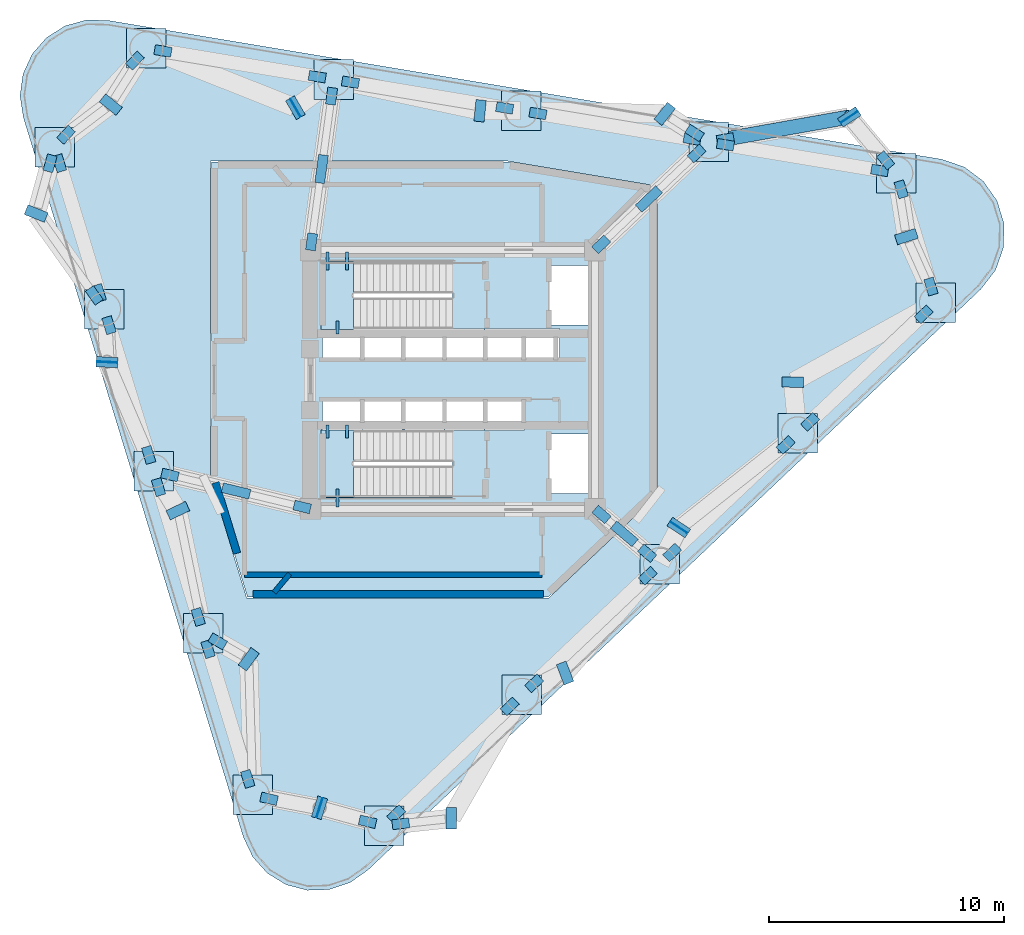
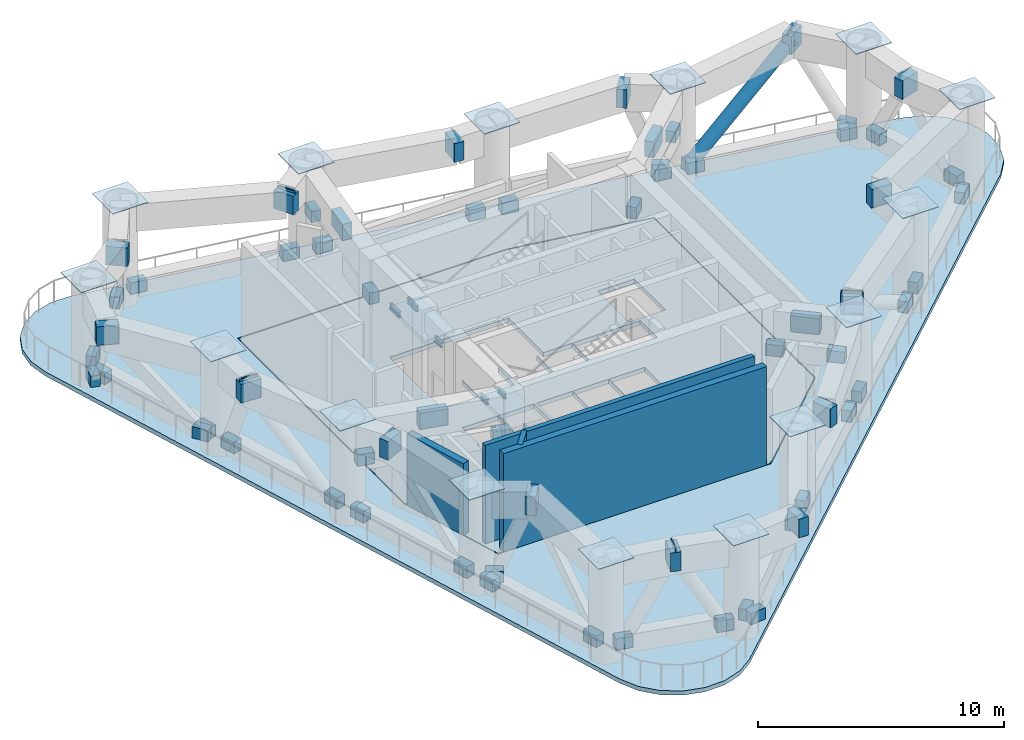
# One storey, part 3 of 8: 84 plates, 6 beams, 4 slabs, 4 walls, 1 member, 2 elements without a shape of their own.
"""IFC4 building model written with IfcOpenShell, lengths in metres."""

from ifc_helpers import new_model, si_unit, direction, frame, frame_2d, origin, origin_2d, place, context, subcontext, project, spatial, polyline, rectangle, hollow_circle, i_section, outline, extrude, source, transform, mapped, material, layer, layer_set, material_profile, profile_set, type_object, element, aggregate, save


model = new_model("IFC4")

# Units and contexts
model_context = context("Model", 3, precision=1e-05, world=origin(), true_north=direction((0.0, 1.0)))
body_context = subcontext(model_context, "Body", "Model", "MODEL_VIEW")
ifc_project = project(units=[si_unit("LENGTHUNIT", "METRE"), si_unit("AREAUNIT", "SQUARE_METRE"), si_unit("VOLUMEUNIT", "CUBIC_METRE"), si_unit("PLANEANGLEUNIT", "RADIAN"), si_unit("MASSUNIT", "GRAM", prefix="KILO")], contexts=[model_context])

# Site, building, storey
site_placement = place(None, origin())
site = spatial("IfcSite", under=ifc_project, at=site_placement, CompositionType="ELEMENT")
building_placement = place(site_placement, origin())
building = spatial("IfcBuilding", under=site, at=building_placement, Name="Yunling Apex Tower", CompositionType="ELEMENT")
storey_placement = place(building_placement, frame((0.0, 0.0, 119.89990234375)))
storey = spatial("IfcBuildingStorey", under=building, at=storey_placement, Name="RF3", CompositionType="ELEMENT", Elevation=119.89990234375)

# Beams
ifc_material_1 = material(Name="Steel Q355B", Category="steel")
ifc_material_profile_1 = material_profile(ifc_material_1, i_section(OverallWidth=0.125, OverallDepth=0.25, WebThickness=0.006103515625, FlangeThickness=0.009033203125, FilletRadius=0.011962890625, at=origin_2d()))
ifc_profile_set_1 = profile_set([ifc_material_profile_1], Name="Steel Q355B")
beam_type = type_object("IfcBeamType", Name="BL-LNT-1", PredefinedType="LINTEL", material=ifc_profile_set_1)
shared_shape_1 = source(origin(), body_context, "Body", "SweptSolid", [
    extrude(i_section(OverallWidth=0.125, OverallDepth=0.25, WebThickness=0.006103515625, FlangeThickness=0.009033203125, FilletRadius=0.011962890625, at=origin_2d()), origin(), (0.0, 0.0, 1.0), 0.760009765625),
])
for number, where, z_axis, x_axis, name in (
    (1, (-5.320068359375, 5.419921875, 2.22998046875), (0.0, -1.0, 0.0), (1.0, 0.0, 0.0), "RF3 ST-1 Landing Bearing Corbel 1-1"),
    (2, (-4.489990234375, 5.419921875, 2.22998046875), (0.0, -1.0, 0.0), (1.0, 0.0, 0.0), "RF3 ST-1 Landing Bearing Corbel 1-2"),
    (3, (-4.905029296875, -5.419921875, 2.22998046875), (0.0, 1.0, 0.0), (-1.0, 0.0, 0.0), "RF3 ST-2 Landing Bearing Corbel 1-3"),
):
    element("IfcBeam", number, at=place(storey_placement, frame(where, z_axis=z_axis, x_axis=x_axis)), inside=storey, type_object=beam_type, Name=name, PredefinedType="LINTEL", context=body_context, shape_type="MappedRepresentation", body=[
        mapped(shared_shape_1, transform((0.0, 0.0, 0.0), scale=1.0)),
    ])
shared_shape_2 = source(origin(), body_context, "Body", "SweptSolid", [
    extrude(i_section(OverallWidth=0.125, OverallDepth=0.25, WebThickness=0.006103515625, FlangeThickness=0.009033203125, FilletRadius=0.011962890625, at=origin_2d()), origin(), (0.0, 0.0, 1.0), 0.550048828125),
])
for number, where, z_axis, x_axis, name in (
    (4, (-4.905029296875, 1.93994140625, 2.22998046875), (0.0, 1.0, 0.0), (-1.0, 0.0, 0.0), "RF3 ST-1 Landing Bearing Corbel 1-3"),
    (5, (-5.320068359375, -1.93994140625, 2.22998046875), (0.0, -1.0, 0.0), (1.0, 0.0, 0.0), "RF3 ST-2 Landing Bearing Corbel 1-1"),
    (6, (-4.489990234375, -1.93994140625, 2.22998046875), (0.0, -1.0, 0.0), (1.0, 0.0, 0.0), "RF3 ST-2 Landing Bearing Corbel 1-2"),
):
    element("IfcBeam", number, at=place(storey_placement, frame(where, z_axis=z_axis, x_axis=x_axis)), inside=storey, type_object=beam_type, Name=name, PredefinedType="LINTEL", context=body_context, shape_type="MappedRepresentation", body=[
        mapped(shared_shape_2, transform((0.0, 0.0, 0.0), scale=1.0)),
    ])

# Member
ifc_material_profile_2 = material_profile(ifc_material_1, hollow_circle(Radius=0.304931640625, WallThickness=0.02392578125, at=origin_2d()))
ifc_profile_set_2 = profile_set([ifc_material_profile_2], Name="Steel Q355B")
member_type = type_object("IfcMemberType", Name="BR-PER-1", PredefinedType="BRACE", material=ifc_profile_set_2)
shared_shape_3 = source(origin(), body_context, "Body", "SweptSolid", [
    extrude(hollow_circle(Radius=0.304931640625, WallThickness=0.02392578125, at=origin_2d()), origin(), (0.0, 0.0, 1.0), 6.487060546875),
])
member_placement = place(storey_placement, frame((11.589111328125, 10.226318359375, 0.550048828125), z_axis=(0.809218470588, 0.143952220724, 0.569599179255), x_axis=(-0.175140845583, 0.984543388688, 0.0)))
element("IfcMember", 7, at=member_placement, inside=storey, type_object=member_type, Name="RF3 Belt-Truss Diagonal 6-2", PredefinedType="BRACE", context=body_context, shape_type="MappedRepresentation", body=[
    mapped(shared_shape_3, transform((0.0, 0.0, 0.0), scale=1.0)),
])

# Stair, slab
ifc_material_2 = material(Name="Concrete C40", Category="concrete")
stair_type = type_object("IfcStairType", Name="ST-TWR-1", PredefinedType="HALF_TURN_STAIR", material=ifc_material_2)
stair_1_placement = place(storey_placement, origin())
stair_1 = element("IfcStair", 8, at=stair_1_placement, inside=storey, type_object=stair_type, Name="RF3 North Core Smokeproof Exit Stair ST-1", PredefinedType="HALF_TURN_STAIR")
ifc_layer_1 = layer(ifc_material_2, 0.195068359375)
ifc_layer_set_1 = layer_set([ifc_layer_1], Name="Concrete C40")
slab_type_1 = type_object("IfcSlabType", Name="SL-LND-1", PredefinedType="LANDING", material=ifc_layer_set_1)
slab_1_placement = place(storey_placement, frame((0.0, 0.0, 2.35498046875)))
slab_1 = element("IfcSlab", 9, at=slab_1_placement, type_object=slab_type_1, Name="ST-1 landing 1", PredefinedType="LANDING", context=body_context, shape_type="SweptSolid", body=[
    extrude(outline(polyline([(-4.2099609375, 5.010009765625), (-5.60009765625, 5.010009765625), (-5.60009765625, 2.139892578125), (-4.2099609375, 2.139892578125), (-4.2099609375, 5.010009765625)])), origin(), (0.0, 0.0, 1.0), 0.195068359375),
])
aggregate(stair_1, [slab_1])

stair_2_placement = place(storey_placement, origin())
stair_2 = element("IfcStair", 10, at=stair_2_placement, inside=storey, type_object=stair_type, Name="RF3 South Core Smokeproof Exit Stair ST-2", PredefinedType="HALF_TURN_STAIR")
slab_2_placement = place(storey_placement, frame((0.0, 0.0, 2.35498046875)))
slab_2 = element("IfcSlab", 11, at=slab_2_placement, type_object=slab_type_1, Name="ST-2 landing 1", PredefinedType="LANDING", context=body_context, shape_type="SweptSolid", body=[
    extrude(outline(polyline([(-4.2099609375, -2.139892578125), (-5.60009765625, -2.139892578125), (-5.60009765625, -5.010009765625), (-4.2099609375, -5.010009765625), (-4.2099609375, -2.139892578125)])), origin(), (0.0, 0.0, 1.0), 0.195068359375),
])
aggregate(stair_2, [slab_2])

# Slabs
ifc_layer_2 = layer(ifc_material_2, 0.219970703125)
ifc_layer_set_2 = layer_set([ifc_layer_2], Name="Concrete C40")
slab_type_2 = type_object("IfcSlabType", Name="SL-RFG-1", PredefinedType="FLOOR", material=ifc_layer_set_2)
slab_3_placement = place(storey_placement, frame((0.0, 0.0, -0.219970703125)))
element("IfcSlab", 12, at=slab_3_placement, inside=storey, type_object=slab_type_2, Name="RF3 Mechanical & Belt-Truss Interior Slab", PredefinedType="FLOOR", context=body_context, shape_type="SweptSolid", body=[
    extrude(outline(polyline([(8.64990234375, 8.1923828125), (2.303466796875, 9.25), (-10.25, 9.25), (-10.25, -4.262451171875), (-8.72509765625, -9.25), (4.05419921875, -9.25), (8.64990234375, -4.894775390625), (8.64990234375, 8.1923828125)]), holes=[polyline([(5.81005859375, -2.320068359375), (5.81005859375, -4.840087890625), (4.090087890625, -4.840087890625), (4.090087890625, -2.320068359375), (5.81005859375, -2.320068359375)]), polyline([(5.81005859375, 4.840087890625), (5.81005859375, 2.320068359375), (4.090087890625, 2.320068359375), (4.090087890625, 4.840087890625), (5.81005859375, 4.840087890625)]), polyline([(1.364990234375, 2.1650390625), (4.534912109375, 2.1650390625), (4.534912109375, 0.794921875), (1.364990234375, 0.794921875), (1.364990234375, 2.1650390625)]), polyline([(3.034912109375, -0.794921875), (3.034912109375, -2.1650390625), (1.364990234375, -2.1650390625), (1.364990234375, -0.794921875), (3.034912109375, -0.794921875)]), polyline([(-5.534912109375, -0.794921875), (-3.864990234375, -0.794921875), (-3.864990234375, -2.139892578125), (-3.8349609375, -2.139892578125), (-3.8349609375, -0.794921875), (-2.1650390625, -0.794921875), (-2.1650390625, -2.139892578125), (-2.034912109375, -2.139892578125), (-2.034912109375, -0.794921875), (-0.364990234375, -0.794921875), (-0.364990234375, -2.139892578125), (-0.3349609375, -2.139892578125), (-0.3349609375, -0.794921875), (1.3349609375, -0.794921875), (1.3349609375, -2.1650390625), (-0.010009765625, -2.1650390625), (-0.010009765625, -5.010009765625), (-5.60009765625, -5.010009765625), (-5.60009765625, -2.139892578125), (-5.534912109375, -2.139892578125), (-5.534912109375, -0.794921875)]), polyline([(-5.60009765625, 2.139892578125), (-5.60009765625, 5.010009765625), (-0.010009765625, 5.010009765625), (-0.010009765625, 2.1650390625), (1.3349609375, 2.1650390625), (1.3349609375, 0.794921875), (-0.3349609375, 0.794921875), (-0.3349609375, 2.139892578125), (-0.364990234375, 2.139892578125), (-0.364990234375, 0.794921875), (-2.034912109375, 0.794921875), (-2.034912109375, 2.139892578125), (-2.1650390625, 2.139892578125), (-2.1650390625, 0.794921875), (-3.8349609375, 0.794921875), (-3.8349609375, 2.139892578125), (-3.864990234375, 2.139892578125), (-3.864990234375, 0.794921875), (-5.534912109375, 0.794921875), (-5.534912109375, 2.139892578125), (-5.60009765625, 2.139892578125)])]), origin(), (0.0, 0.0, 1.0), 0.219970703125),
])
ifc_layer_3 = layer(ifc_material_2, 0.2099609375)
ifc_layer_set_3 = layer_set([ifc_layer_3], Name="Concrete C40")
slab_type_3 = type_object("IfcSlabType", Name="SL-RFG-EXT", PredefinedType="FLOOR", material=ifc_layer_set_3)
slab_4_placement = place(storey_placement, frame((0.0, 0.0, -0.2099609375)))
element("IfcSlab", 13, at=slab_4_placement, inside=storey, type_object=slab_type_3, Name="RF3 Open Refuge Perimeter Terrace Band", PredefinedType="FLOOR", context=body_context, shape_type="SweptSolid", body=[
    extrude(outline(polyline([(-8.89990234375, -19.45263671875), (-8.50146484375, -20.294921875), (-7.87841796875, -20.98779296875), (-7.083251953125, -21.473388671875), (-6.182373046875, -21.710693359375), (-5.251220703125, -21.680419921875), (-4.367431640625, -21.384765625), (-3.605712890625, -20.848388671875), (22.4599609375, 3.852294921875), (23.077880859375, 4.65869140625), (23.413818359375, 5.61767578125), (23.434326171875, 6.63330078125), (23.13720703125, 7.60498046875), (22.55224609375, 8.435791015625), (21.737548828125, 9.042724609375), (20.774169921875, 9.36572265625), (-14.6474609375, 15.267822265625), (-15.5791015625, 15.28662109375), (-16.476806640625, 15.03759765625), (-17.265869140625, 14.5419921875), (-17.8798828125, 13.84130859375), (-18.267578125, 12.993896484375), (-18.396728515625, 12.0712890625), (-18.256103515625, 11.150390625), (-8.89990234375, -19.45263671875)]), holes=[polyline([(4.070068359375, -9.2900390625), (-8.754638671875, -9.2900390625), (-10.2900390625, -4.268310546875), (-10.2900390625, 9.2900390625), (2.306640625, 9.2900390625), (8.68994140625, 8.226318359375), (8.68994140625, -4.912109375), (4.070068359375, -9.2900390625)])]), origin(), (0.0, 0.0, 1.0), 0.2099609375),
])

# Plates
ifc_layer_4 = layer(ifc_material_1, 0.030029296875)
ifc_layer_set_4 = layer_set([ifc_layer_4], Name="Steel Q355B")
plate_type_1 = type_object("IfcPlateType", Name="NP-CAP-1", PredefinedType="USERDEFINED", material=ifc_layer_set_4)
shared_shape_4 = source(origin(), body_context, "Body", "SweptSolid", [
    extrude(rectangle(XDim=1.679931640625, YDim=1.679931640625, at=origin_2d()), origin(), (0.0, 0.0, 1.0), 0.035888671875),
])
for number, where, z_axis, x_axis, name in (
    (14, (-2.92138671875, -18.960205078125, 4.9970703125), (0.0, 0.0, 1.0), (1.0, 0.0, 0.0), "RF3 Lower-Block CFST Column Top Cap Plate P01"),
    (15, (2.943359375, -13.40234375, 4.9970703125), (0.0, 0.0, 1.0), (1.0, 0.0, 0.0), "RF3 Lower-Block CFST Column Top Cap Plate P02"),
    (16, (8.80810546875, -7.8447265625, 4.9970703125), (0.0, 0.0, 1.0), (1.0, 0.0, 0.0), "RF3 Lower-Block CFST Column Top Cap Plate P03"),
    (17, (14.6728515625, -2.287109375, 4.9970703125), (0.0, 0.0, 1.0), (1.0, 0.0, 0.0), "RF3 Lower-Block CFST Column Top Cap Plate P04"),
    (18, (20.53759765625, 3.2705078125, 4.9970703125), (0.0, 0.0, 1.0), (1.0, 0.0, 0.0), "RF3 Lower-Block CFST Column Top Cap Plate P05"),
    (19, (18.855224609375, 8.77294921875, 4.9970703125), (0.0, 0.0, 1.0), (1.0, 0.0, 0.0), "RF3 Lower-Block CFST Column Top Cap Plate P06"),
    (20, (10.88525390625, 10.10107421875, 4.9970703125), (0.0, 0.0, 1.0), (1.0, 0.0, 0.0), "RF3 Lower-Block CFST Column Top Cap Plate P07"),
    (21, (2.915283203125, 11.428955078125, 4.9970703125), (0.0, 0.0, 1.0), (1.0, 0.0, 0.0), "RF3 Lower-Block CFST Column Top Cap Plate P08"),
    (22, (-5.054443359375, 12.757080078125, 4.9970703125), (0.0, 0.0, 1.0), (1.0, 0.0, 0.0), "RF3 Lower-Block CFST Column Top Cap Plate P09"),
    (23, (-13.0244140625, 14.0849609375, 4.9970703125), (0.0, 0.0, 1.0), (1.0, 0.0, 0.0), "RF3 Lower-Block CFST Column Top Cap Plate P10"),
    (24, (-16.927490234375, 9.88330078125, 4.9970703125), (0.0, 0.0, 1.0), (1.0, 0.0, 0.0), "RF3 Lower-Block CFST Column Top Cap Plate P11"),
    (25, (-14.822509765625, 2.99755859375, 4.9970703125), (0.0, 0.0, 1.0), (1.0, 0.0, 0.0), "RF3 Lower-Block CFST Column Top Cap Plate P12"),
    (26, (-12.71728515625, -3.887939453125, 4.9970703125), (0.0, 0.0, 1.0), (1.0, 0.0, 0.0), "RF3 Lower-Block CFST Column Top Cap Plate P13"),
    (27, (-10.612060546875, -10.773681640625, 4.9970703125), (0.0, 0.0, 1.0), (1.0, 0.0, 0.0), "RF3 Lower-Block CFST Column Top Cap Plate P14"),
    (28, (-8.5068359375, -17.6591796875, 4.9970703125), (0.0, 0.0, 1.0), (1.0, 0.0, 0.0), "RF3 Lower-Block CFST Column Top Cap Plate P15"),
):
    element("IfcPlate", number, at=place(storey_placement, frame(where, z_axis=z_axis, x_axis=x_axis)), inside=storey, type_object=plate_type_1, Name=name, ObjectType="CAP_PLATE", PredefinedType="USERDEFINED", context=body_context, shape_type="MappedRepresentation", body=[
        mapped(shared_shape_4, transform((0.0, 0.0, 0.0), scale=1.0)),
    ])
ifc_layer_5 = layer(ifc_material_1, 0.035888671875)
ifc_layer_set_5 = layer_set([ifc_layer_5], Name="Steel Q355B")
plate_type_2 = type_object("IfcPlateType", Name="NP-GUS-1", PredefinedType="USERDEFINED", material=ifc_layer_set_5)
shared_shape_5 = source(origin(), body_context, "Body", "SweptSolid", [
    extrude(rectangle(XDim=0.719970703125, YDim=0.419921875, at=origin_2d()), origin(), (0.0, 0.0, 1.0), 0.56005859375),
])
for number, where, z_axis, x_axis, name in (
    (29, (-2.40087890625, -18.466796875, 0.27001953125), (0.0, 0.0, 1.0), (0.725854756355, 0.687848001144, 0.0), "RF3 Belt Chord End Gusset Plate 94"),
    (30, (2.4228515625, -13.8955078125, 0.27001953125), (0.0, 0.0, 1.0), (0.725854756355, 0.687848001144, 0.0), "RF3 Belt Chord End Gusset Plate 95"),
    (31, (3.463623046875, -12.9091796875, 0.27001953125), (0.0, 0.0, 1.0), (0.725854756355, 0.687848001144, 0.0), "RF3 Belt Chord End Gusset Plate 96"),
    (32, (8.28759765625, -8.337890625, 0.27001953125), (0.0, 0.0, 1.0), (0.725854756355, 0.687848001144, 0.0), "RF3 Belt Chord End Gusset Plate 97"),
    (33, (9.32861328125, -7.3515625, 0.27001953125), (0.0, 0.0, 1.0), (0.725854756355, 0.687848001144, 0.0), "RF3 Belt Chord End Gusset Plate 98"),
    (34, (14.15234375, -2.7802734375, 0.27001953125), (0.0, 0.0, 1.0), (0.725854756355, 0.687848001144, 0.0), "RF3 Belt Chord End Gusset Plate 99"),
    (35, (15.193115234375, -1.7939453125, 0.27001953125), (0.0, 0.0, 1.0), (0.725854756355, 0.687848001144, 0.0), "RF3 Belt Chord End Gusset Plate 100"),
    (36, (20.01708984375, 2.77734375, 0.27001953125), (0.0, 0.0, 1.0), (0.725854756355, 0.687848001144, 0.0), "RF3 Belt Chord End Gusset Plate 101"),
    (37, (20.327880859375, 3.956298828125, 0.27001953125), (0.0, 0.0, 1.0), (-0.292371704723, 0.956304755963, 0.0), "RF3 Belt Chord End Gusset Plate 102"),
    (38, (19.064697265625, 8.08740234375, 0.27001953125), (0.0, 0.0, 1.0), (-0.292371704723, 0.956304755963, 0.0), "RF3 Belt Chord End Gusset Plate 103"),
    (39, (18.14794921875, 8.890869140625, 0.27001953125), (0.0, 0.0, 1.0), (-0.986400586142, 0.164359008451, 0.0), "RF3 Belt Chord End Gusset Plate 104"),
    (40, (11.592529296875, 9.983154296875, 0.27001953125), (0.0, 0.0, 1.0), (-0.986400586142, 0.164359008451, 0.0), "RF3 Belt Chord End Gusset Plate 105"),
    (41, (10.177978515625, 10.21875, 0.27001953125), (0.0, 0.0, 1.0), (-0.986400586142, 0.164359008451, 0.0), "RF3 Belt Chord End Gusset Plate 106"),
    (42, (3.62255859375, 11.311279296875, 0.27001953125), (0.0, 0.0, 1.0), (-0.986400586142, 0.164359008451, 0.0), "RF3 Belt Chord End Gusset Plate 107"),
    (43, (2.208251953125, 11.546875, 0.27001953125), (0.0, 0.0, 1.0), (-0.986400586142, 0.164359008451, 0.0), "RF3 Belt Chord End Gusset Plate 108"),
    (44, (-4.347412109375, 12.63916015625, 0.27001953125), (0.0, 0.0, 1.0), (-0.986400586142, 0.164359008451, 0.0), "RF3 Belt Chord End Gusset Plate 109"),
    (45, (-5.76171875, 12.874755859375, 0.27001953125), (0.0, 0.0, 1.0), (-0.986400586142, 0.164359008451, 0.0), "RF3 Belt Chord End Gusset Plate 110"),
    (46, (-12.317138671875, 13.96728515625, 0.27001953125), (0.0, 0.0, 1.0), (-0.986400586142, 0.164359008451, 0.0), "RF3 Belt Chord End Gusset Plate 111"),
    (47, (-13.51220703125, 13.559814453125, 0.27001953125), (0.0, 0.0, 1.0), (-0.680593005737, -0.732661695834, 0.0), "RF3 Belt Chord End Gusset Plate 112"),
    (48, (-16.439697265625, 10.40869140625, 0.27001953125), (0.0, 0.0, 1.0), (-0.680593005737, -0.732661695834, 0.0), "RF3 Belt Chord End Gusset Plate 113"),
    (49, (-16.718017578125, 9.197509765625, 0.27001953125), (0.0, 0.0, 1.0), (0.292371704723, -0.956304755963, 0.0), "RF3 Belt Chord End Gusset Plate 114"),
    (50, (-15.031982421875, 3.683349609375, 0.27001953125), (0.0, 0.0, 1.0), (0.292371704723, -0.956304755963, 0.0), "RF3 Belt Chord End Gusset Plate 115"),
    (51, (-14.61279296875, 2.31201171875, 0.27001953125), (0.0, 0.0, 1.0), (0.292371704723, -0.956304755963, 0.0), "RF3 Belt Chord End Gusset Plate 116"),
    (52, (-12.927001953125, -3.202392578125, 0.27001953125), (0.0, 0.0, 1.0), (0.292371704723, -0.956304755963, 0.0), "RF3 Belt Chord End Gusset Plate 117"),
    (53, (-12.5078125, -4.57373046875, 0.27001953125), (0.0, 0.0, 1.0), (0.292371704723, -0.956304755963, 0.0), "RF3 Belt Chord End Gusset Plate 118"),
    (54, (-10.82177734375, -10.087890625, 0.27001953125), (0.0, 0.0, 1.0), (0.292371704723, -0.956304755963, 0.0), "RF3 Belt Chord End Gusset Plate 119"),
    (55, (-10.402587890625, -11.45947265625, 0.27001953125), (0.0, 0.0, 1.0), (0.292371704723, -0.956304755963, 0.0), "RF3 Belt Chord End Gusset Plate 120"),
    (56, (-8.716552734375, -16.9736328125, 0.27001953125), (0.0, 0.0, 1.0), (0.292371704723, -0.956304755963, 0.0), "RF3 Belt Chord End Gusset Plate 121"),
    (57, (-7.80859375, -17.822021484375, 0.27001953125), (0.0, 0.0, 1.0), (0.973936394329, -0.226821294859, 0.0), "RF3 Belt Chord End Gusset Plate 122"),
    (58, (-3.61962890625, -18.797607421875, 0.27001953125), (0.0, 0.0, 1.0), (0.973936394329, -0.226821294859, 0.0), "RF3 Belt Chord End Gusset Plate 123"),
    (59, (-2.21044921875, -18.884033203125, 0.27001953125), (0.0, 0.0, 1.0), (0.994337944133, 0.106264071336, 0.0), "RF3 Belt Diagonal Foot Gusset Plate 124"),
    (60, (18.39697265625, 9.32177734375, 0.27001953125), (0.0, 0.0, 1.0), (-0.641047856925, 0.76750090888, 0.0), "RF3 Belt Diagonal Foot Gusset Plate 125"),
    (61, (11.589111328125, 10.226318359375, 0.27001953125), (0.0, 0.0, 1.0), (0.984533772247, 0.175194895202, 0.0), "RF3 Belt Diagonal Foot Gusset Plate 126"),
    (62, (10.281982421875, 10.485107421875, 0.27001953125), (0.0, 0.0, 1.0), (-0.843578947371, 0.537005176466, 0.0), "RF3 Belt Diagonal Foot Gusset Plate 127"),
    (63, (-17.117919921875, 9.194091796875, 0.27001953125), (0.0, 0.0, 1.0), (-0.266060880235, -0.963956227226, 0.0), "RF3 Belt Diagonal Foot Gusset Plate 128"),
    (64, (-15.23681640625, 3.580078125, 0.27001953125), (0.0, 0.0, 1.0), (-0.579707892832, 0.814824373094, 0.0), "RF3 Belt Diagonal Foot Gusset Plate 129"),
    (65, (-9.9921875, -11.1298828125, 0.27001953125), (0.0, 0.0, 1.0), (0.867070701164, -0.498185105339, 0.0), "RF3 Belt Diagonal Foot Gusset Plate 130"),
):
    element("IfcPlate", number, at=place(storey_placement, frame(where, z_axis=z_axis, x_axis=x_axis)), inside=storey, type_object=plate_type_2, Name=name, ObjectType="GUSSET_PLATE", PredefinedType="USERDEFINED", context=body_context, shape_type="MappedRepresentation", body=[
        mapped(shared_shape_5, transform((0.0, 0.0, 0.0), scale=1.0)),
    ])
shared_shape_6 = source(origin(), body_context, "Body", "SweptSolid", [
    extrude(rectangle(XDim=0.919921875, YDim=0.43994140625, at=origin_2d()), origin(), (0.0, 0.0, 1.0), 0.919921875),
])
for number, where, z_axis, x_axis, name in (
    (66, (-0.06396484375, -18.654541015625, 3.78515625), (0.0, 0.0, 1.0), (-0.003490651415, -0.999993907658, 0.0), "RF3 Belt-Truss Node Gusset Plate 1"),
    (67, (4.773193359375, -12.471923828125, 3.78515625), (0.0, 0.0, 1.0), (0.35739011009, -0.933955196575, 0.0), "RF3 Belt-Truss Node Gusset Plate 2"),
    (68, (9.610595703125, -6.289306640625, 3.78515625), (0.0, 0.0, 1.0), (0.836764313459, -0.547563223493, 0.0), "RF3 Belt-Truss Node Gusset Plate 3"),
    (69, (14.447998046875, -0.106689453125, 3.78515625), (0.0, 0.0, 1.0), (0.999973132864, -0.007330317209, 0.0), "RF3 Belt-Truss Node Gusset Plate 4"),
    (70, (19.28515625, 6.075927734375, 3.78515625), (0.0, 0.0, 1.0), (0.953769419285, 0.300539339916, 0.0), "RF3 Belt-Truss Node Gusset Plate 5"),
    (71, (16.8583984375, 11.163818359375, 3.78515625), (0.0, 0.0, 1.0), (0.83378947819, 0.552082517437, 0.0), "RF3 Belt-Truss Node Gusset Plate 6"),
    (72, (9.009521484375, 11.295166015625, 3.78515625), (0.0, 0.0, 1.0), (0.623606756598, 0.781738199863, 0.0), "RF3 Belt-Truss Node Gusset Plate 7"),
    (73, (1.160400390625, 11.4267578125, 3.78515625), (0.0, 0.0, 1.0), (0.101056297183, 0.994880708829, 0.0), "RF3 Belt-Truss Node Gusset Plate 8"),
    (74, (-6.6884765625, 11.558349609375, 3.78515625), (0.0, 0.0, 1.0), (-0.500906625361, 0.865501330253, 0.0), "RF3 Belt-Truss Node Gusset Plate 9"),
    (75, (-14.53759765625, 11.68994140625, 3.78515625), (0.0, 0.0, 1.0), (-0.779337964931, 0.626603811364, 0.0), "RF3 Belt-Truss Node Gusset Plate 10"),
    (76, (-17.70849609375, 7.0546875, 3.78515625), (0.0, 0.0, 1.0), (-0.929003448964, 0.370071063192, 0.0), "RF3 Belt-Truss Node Gusset Plate 11"),
    (77, (-14.69677734375, 0.740478515625, 3.78515625), (0.0, 0.0, 1.0), (-0.998736956606, 0.05024431818, 0.0), "RF3 Belt-Truss Node Gusset Plate 12"),
    (78, (-11.685302734375, -5.573486328125, 3.78515625), (0.0, 0.0, 1.0), (-0.90258528435, -0.430511096808, 0.0), "RF3 Belt-Truss Node Gusset Plate 13"),
    (79, (-8.673583984375, -11.8876953125, 3.78515625), (0.0, 0.0, 1.0), (-0.589478363128, -0.807784166349, 0.0), "RF3 Belt-Truss Node Gusset Plate 14"),
    (80, (-5.661865234375, -18.201904296875, 3.78515625), (0.0, 0.0, 1.0), (-0.297041581577, -0.954864544747, 0.0), "RF3 Belt-Truss Node Gusset Plate 15"),
):
    element("IfcPlate", number, at=place(storey_placement, frame(where, z_axis=z_axis, x_axis=x_axis)), inside=storey, type_object=plate_type_2, Name=name, ObjectType="GUSSET_PLATE", PredefinedType="USERDEFINED", context=body_context, shape_type="MappedRepresentation", body=[
        mapped(shared_shape_6, transform((0.0, 0.0, 0.0), scale=1.0)),
    ])
shared_shape_7 = source(origin(), body_context, "Body", "SweptSolid", [
    extrude(rectangle(XDim=0.85009765625, YDim=0.030029296875, at=origin_2d()), origin(), (0.0, 0.0, 1.0), 0.85009765625),
])
for number, where, z_axis, x_axis, name in (
    (81, (9.610595703125, -6.289306640625, 3.969970703125), (0.0, 0.0, 1.0), (0.836764313459, -0.547563223493, 0.0), "RF3 Box Ring Girder End Cap Plate 3"),
    (82, (16.8583984375, 11.163818359375, 3.969970703125), (0.0, 0.0, 1.0), (0.83378947819, 0.552082517437, 0.0), "RF3 Box Ring Girder End Cap Plate 6"),
    (83, (-6.6884765625, 11.558349609375, 3.969970703125), (0.0, 0.0, 1.0), (-0.500906625361, 0.865501330253, 0.0), "RF3 Box Ring Girder End Cap Plate 9"),
    (84, (-14.69677734375, 0.740478515625, 3.969970703125), (0.0, 0.0, 1.0), (-0.998736956606, 0.05024431818, 0.0), "RF3 Box Ring Girder End Cap Plate 12"),
    (85, (-5.661865234375, -18.201904296875, 3.969970703125), (0.0, 0.0, 1.0), (-0.297041581577, -0.954864544747, 0.0), "RF3 Box Ring Girder End Cap Plate 15"),
):
    element("IfcPlate", number, at=place(storey_placement, frame(where, z_axis=z_axis, x_axis=x_axis)), inside=storey, type_object=plate_type_1, Name=name, ObjectType="CAP_PLATE", PredefinedType="USERDEFINED", context=body_context, shape_type="MappedRepresentation", body=[
        mapped(shared_shape_7, transform((0.0, 0.0, 0.0), scale=1.0)),
    ])
ifc_layer_6 = layer(ifc_material_1, 0.031982421875)
ifc_layer_set_6 = layer_set([ifc_layer_6], Name="Steel Q355B")
plate_type_3 = type_object("IfcPlateType", Name="NP-GUS-2", PredefinedType="USERDEFINED", material=ifc_layer_set_6)
shared_shape_8 = source(origin(), body_context, "Body", "SweptSolid", [
    extrude(rectangle(XDim=1.199951171875, YDim=0.419921875, at=origin_2d()), origin(), (0.0, 0.0, 1.0), 0.800048828125),
])
for number, where, z_axis, x_axis, name in (
    (86, (-9.211181640625, -4.735595703125, 3.84521484375), (0.0, 0.0, 1.0), (-0.972002025815, 0.234972470325, 0.0), "RF3 Outrigger Mid-Top Gusset Plate 1"),
    (87, (7.2939453125, -6.5576171875, 3.84521484375), (0.0, 0.0, 1.0), (0.761877557918, -0.647721071713, 0.0), "RF3 Outrigger Mid-Top Gusset Plate 2"),
    (88, (8.339111328125, 7.67822265625, 3.84521484375), (0.0, 0.0, 1.0), (0.724412539946, 0.68936671806, 0.0), "RF3 Outrigger Mid-Top Gusset Plate 3"),
    (89, (-5.576416015625, 8.95263671875, 3.84521484375), (0.0, 0.0, 1.0), (0.135888488485, 0.990724138546, 0.0), "RF3 Outrigger Mid-Top Gusset Plate 4"),
):
    element("IfcPlate", number, at=place(storey_placement, frame(where, z_axis=z_axis, x_axis=x_axis)), inside=storey, type_object=plate_type_3, Name=name, ObjectType="GUSSET_PLATE", PredefinedType="USERDEFINED", context=body_context, shape_type="MappedRepresentation", body=[
        mapped(shared_shape_8, transform((0.0, 0.0, 0.0), scale=1.0)),
    ])
shared_shape_9 = source(origin(), body_context, "Body", "SweptSolid", [
    extrude(rectangle(XDim=0.719970703125, YDim=0.419921875, at=origin_2d()), origin(), (0.0, 0.0, 1.0), 0.56005859375),
])
for number, where, z_axis, x_axis, name in (
    (90, (-6.39990234375, -5.415283203125, 2.5400390625), (0.0, 0.0, 1.0), (-0.972002025815, 0.234972470325, 0.0), "RF3 Outrigger Core Embed Gusset Plate 131"),
    (91, (-12.022216796875, -4.055908203125, 2.5400390625), (0.0, 0.0, 1.0), (-0.972002025815, 0.234972470325, 0.0), "RF3 Outrigger Column Gusset Plate 132"),
    (92, (6.32421875, -5.733154296875, 2.5400390625), (0.0, 0.0, 1.0), (0.761877557918, -0.647721071713, 0.0), "RF3 Outrigger Core Embed Gusset Plate 133"),
    (93, (8.263427734375, -7.381591796875, 2.5400390625), (0.0, 0.0, 1.0), (0.761877557918, -0.647721071713, 0.0), "RF3 Outrigger Column Gusset Plate 134"),
    (94, (6.310791015625, 5.748291015625, 2.5400390625), (0.0, 0.0, 1.0), (0.724412539946, 0.68936671806, 0.0), "RF3 Outrigger Core Embed Gusset Plate 135"),
    (95, (10.3671875, 9.608154296875, 2.5400390625), (0.0, 0.0, 1.0), (0.724412539946, 0.68936671806, 0.0), "RF3 Outrigger Column Gusset Plate 136"),
    (96, (-6.001220703125, 5.856689453125, 2.5400390625), (0.0, 0.0, 1.0), (0.135888488485, 0.990724138546, 0.0), "RF3 Outrigger Core Embed Gusset Plate 137"),
    (97, (-5.151611328125, 12.048583984375, 2.5400390625), (0.0, 0.0, 1.0), (0.135888488485, 0.990724138546, 0.0), "RF3 Outrigger Column Gusset Plate 138"),
):
    element("IfcPlate", number, at=place(storey_placement, frame(where, z_axis=z_axis, x_axis=x_axis)), inside=storey, type_object=plate_type_3, Name=name, ObjectType="GUSSET_PLATE", PredefinedType="USERDEFINED", context=body_context, shape_type="MappedRepresentation", body=[
        mapped(shared_shape_9, transform((0.0, 0.0, 0.0), scale=1.0)),
    ])

# Walls
ifc_material_3 = material(Name="Precast concrete C40", Category="concrete")
ifc_layer_7 = layer(ifc_material_3, 0.320068359375)
ifc_layer_set_7 = layer_set([ifc_layer_7], Name="Precast concrete C40")
wall_type_1 = type_object("IfcWallType", Name="WL-EXT-1", PredefinedType="SOLIDWALL", material=ifc_layer_set_7)
wall_1_placement = place(storey_placement, frame((3.8662109375, -9.1298828125, 0.0), z_axis=(0.0, 0.0, 1.0), x_axis=(-1.0, 0.0, 0.0)))
element("IfcWall", 98, at=wall_1_placement, inside=storey, type_object=wall_type_1, Name="WL-RF3-IR-02", PredefinedType="SOLIDWALL", context=body_context, shape_type="SweptSolid", body=[
    extrude(rectangle(XDim=12.362548828125, YDim=0.320068359375, at=frame_2d((6.18115234375, 0.0))), origin(), (0.0, 0.0, 1.0), 4.900146484375),
])
wall_2_placement = place(storey_placement, frame((-9.169921875, -7.384521484375, 0.0), z_axis=(0.0, 0.0, 1.0), x_axis=(-0.292409925155, 0.956293069969, 0.0)))
element("IfcWall", 99, at=wall_2_placement, inside=storey, type_object=wall_type_1, Name="WL-RF3-IR-03", PredefinedType="SOLIDWALL", context=body_context, shape_type="SweptSolid", body=[
    extrude(rectangle(XDim=3.1435546875, YDim=0.320068359375, at=frame_2d((1.57177734375, 0.0))), origin(), (0.0, 0.0, 1.0), 3.55517578125),
])
ifc_material_4 = material(Name="Autoclaved aerated concrete masonry", Category="masonry")
ifc_layer_8 = layer(ifc_material_4, 0.219970703125)
ifc_layer_set_8 = layer_set([ifc_layer_8], Name="Autoclaved aerated concrete masonry")
wall_type_2 = type_object("IfcWallType", Name="WL-SHF-1", PredefinedType="PLUMBINGWALL", material=ifc_layer_set_8)
wall_3_placement = place(storey_placement, frame((-6.930908203125, -8.260009765625, 0.0), z_axis=(0.0, 0.0, 1.0), x_axis=(-0.642881168458, -0.765965928251, 0.0)))
element("IfcWall", 100, at=wall_3_placement, inside=storey, type_object=wall_type_2, Name="WL-RF3-PDIV-230", PredefinedType="PLUMBINGWALL", context=body_context, shape_type="SweptSolid", body=[
    extrude(rectangle(XDim=1.031494140625, YDim=0.219970703125, at=frame_2d((0.515625, 0.0))), origin(), (0.0, 0.0, 1.0), 4.900146484375),
])
wall_4_placement = place(storey_placement, frame((3.800048828125, -8.300048828125, 0.0), z_axis=(0.0, 0.0, 1.0), x_axis=(-1.0, 0.0, 0.0)))
element("IfcWall", 101, at=wall_4_placement, inside=storey, type_object=wall_type_2, Name="WL-RF3-PCR-02", PredefinedType="PLUMBINGWALL", context=body_context, shape_type="SweptSolid", body=[
    extrude(rectangle(XDim=12.650146484375, YDim=0.219970703125, at=frame_2d((6.3251953125, 0.0))), origin(), (0.0, 0.0, 1.0), 4.900146484375),
])

save(model, "model.ifc")
